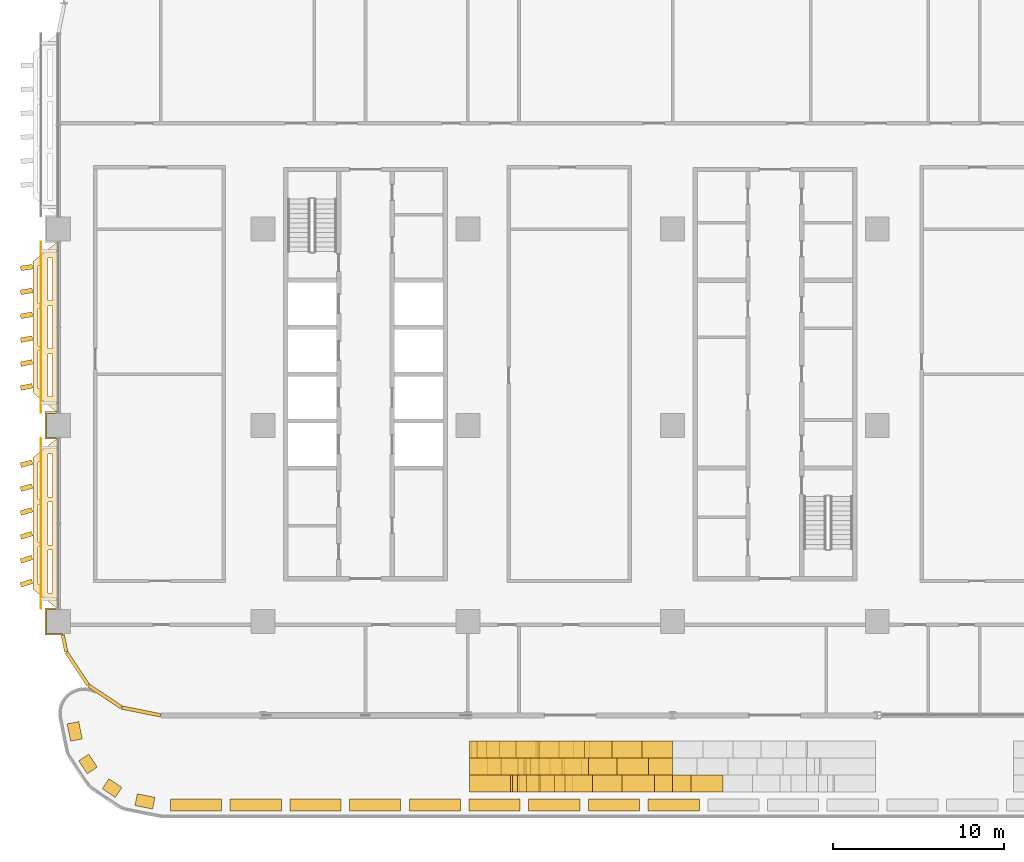
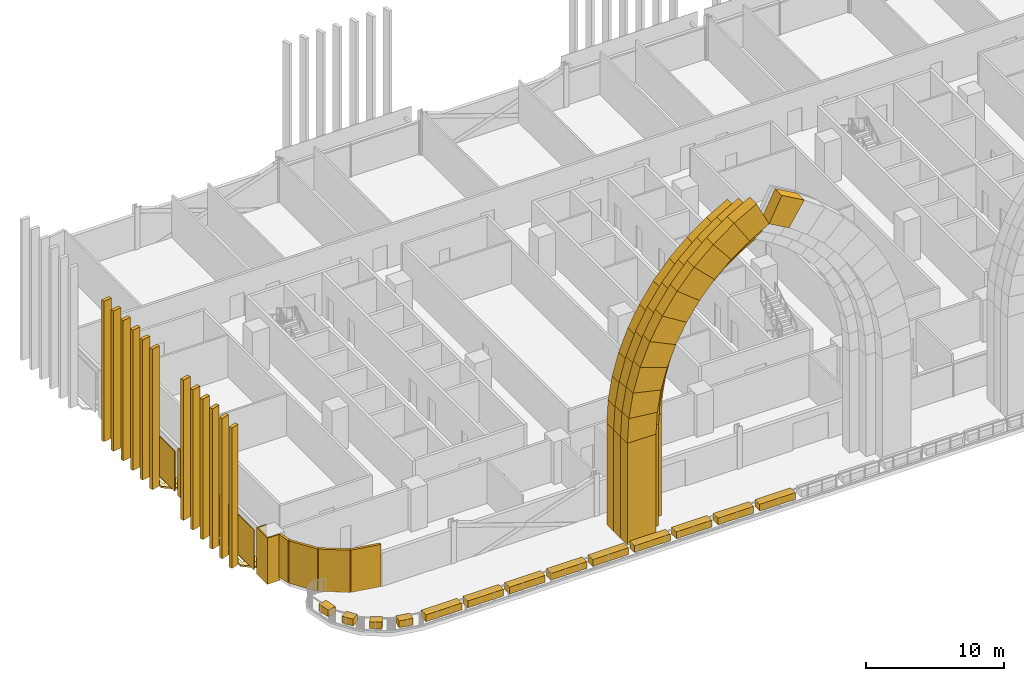
# One storey, part 22 of 31: 69 coverings.
"""IFC4 building model written with IfcOpenShell, lengths in metres."""

from ifc_helpers import new_model, si_unit, direction, frame, origin, origin_2d, place, context, subcontext, project, spatial, polyline, rectangle, outline, extrude, material, layer, layer_set, type_object, element, save


model = new_model("IFC4")

# Units and contexts
model_context = context("Model", 3, precision=1e-05, world=origin(), true_north=direction((0.0, 1.0)))
body_context = subcontext(model_context, "Body", "Model", "MODEL_VIEW")
ifc_project = project(units=[si_unit("LENGTHUNIT", "METRE"), si_unit("AREAUNIT", "SQUARE_METRE"), si_unit("VOLUMEUNIT", "CUBIC_METRE"), si_unit("PLANEANGLEUNIT", "RADIAN"), si_unit("MASSUNIT", "GRAM", prefix="KILO")], contexts=[model_context])

# Site, building, storey
site_placement = place(None, origin())
site = spatial("IfcSite", under=ifc_project, at=site_placement, CompositionType="ELEMENT")
building_placement = place(site_placement, origin())
building = spatial("IfcBuilding", under=site, at=building_placement, Name="Mahtab Terrace Research Tower", CompositionType="ELEMENT")
storey_placement = place(building_placement, frame((0.0, 0.0, 84.800048828125)))
storey = spatial("IfcBuildingStorey", under=building, at=storey_placement, Name="L19", CompositionType="ELEMENT", Elevation=84.800048828125)

# Coverings
ifc_material_1 = material(Name="Black aluminium cladding panel", Category="aluminium")
ifc_layer_1 = layer(ifc_material_1, 0.199951171875)
ifc_layer_set_1 = layer_set([ifc_layer_1], Name="Black metal corner cladding 200")
covering_type_1 = type_object("IfcCoveringType", Name="Black metal corner cladding 200", PredefinedType="CLADDING", material=ifc_layer_set_1)
covering_1_placement = place(storey_placement, frame((-41.645263671875, -12.782470703125, 0.0), z_axis=(0.0, 0.0, 1.0), x_axis=(0.195212442692, -0.980760981187, 0.0)))
element("IfcCovering", 1, at=covering_1_placement, inside=storey, type_object=covering_type_1, Name="Corner cladding L19 19", PredefinedType="CLADDING", context=body_context, shape_type="SweptSolid", body=[
    extrude(rectangle(XDim=1.007568359375, YDim=0.199951171875, at=origin_2d()), origin(), (0.0, 0.0, 1.0), 3.760009765625),
])
for number, where, z_axis, x_axis, name in (
    (2, (-40.89306640625, -14.26953125, 0.0), (0.0, 0.0, 1.0), (0.555291490808, -0.831655794326, 0.0), "Corner cladding L19 20"),
    (3, (-39.26953125, -15.89306640625, 0.0), (0.0, 0.0, 1.0), (0.831655794326, -0.555291490808, 0.0), "Corner cladding L19 21"),
    (4, (-37.14794921875, -16.771484375, 0.0), (0.0, 0.0, 1.0), (0.980760981187, -0.195212442692, 0.0), "Corner cladding L19 22"),
):
    element("IfcCovering", number, at=place(storey_placement, frame(where, z_axis=z_axis, x_axis=x_axis)), inside=storey, type_object=covering_type_1, Name=name, PredefinedType="CLADDING", context=body_context, shape_type="SweptSolid", body=[
        extrude(rectangle(XDim=2.30126953125, YDim=0.199951171875, at=origin_2d()), origin(), (0.0, 0.0, 1.0), 3.760009765625),
    ])
ifc_material_2 = material(Name="Dark anodised aluminium cladding", Category="aluminium")
ifc_layer_2 = layer(ifc_material_2, 0.10009765625)
ifc_layer_set_2 = layer_set([ifc_layer_2], Name="Column casing 100")
covering_type_2 = type_object("IfcCoveringType", Name="Column casing 100", PredefinedType="CLADDING", material=ifc_layer_set_2)
covering_2_placement = place(storey_placement, frame((0.0, 0.0, -0.340087890625)))
element("IfcCovering", 5, at=covering_2_placement, inside=storey, type_object=covering_type_2, Name="Column casing RC-1A L19", PredefinedType="CLADDING", context=body_context, shape_type="SweptSolid", body=[
    extrude(outline(polyline([(-42.800048828125, -10.699951171875), (-42.0, -10.699951171875), (-42.0, -10.800048828125), (-42.699951171875, -10.800048828125), (-42.699951171875, -12.199951171875), (-41.760986328125, -12.199951171875), (-41.740966796875, -12.300048828125), (-42.800048828125, -12.300048828125), (-42.800048828125, -10.699951171875)])), origin(), (0.0, 0.0, 1.0), 4.10009765625),
])
covering_3_placement = place(storey_placement, frame((0.0, 0.0, -0.340087890625)))
element("IfcCovering", 6, at=covering_3_placement, inside=storey, type_object=covering_type_2, Name="Column casing RC-1B L19", PredefinedType="CLADDING", context=body_context, shape_type="SweptSolid", body=[
    extrude(outline(polyline([(-42.800048828125, 0.800048828125), (-42.0, 0.800048828125), (-42.0, 0.699951171875), (-42.699951171875, 0.699951171875), (-42.699951171875, -0.699951171875), (-42.0, -0.699951171875), (-42.0, -0.800048828125), (-42.800048828125, -0.800048828125), (-42.800048828125, 0.800048828125)])), origin(), (0.0, 0.0, 1.0), 4.10009765625),
])
ifc_material_3 = material(Name="Black anodised aluminium", Category="aluminium")
ifc_layer_3 = layer(ifc_material_3, 0.14990234375)
ifc_layer_set_3 = layer_set([ifc_layer_3], Name="Horizontal sunshade band")
covering_type_3 = type_object("IfcCoveringType", Name="Horizontal sunshade band", PredefinedType="CLADDING", material=ifc_layer_set_3)
covering_4_placement = place(storey_placement, frame((0.0, 0.0, -0.150146484375)))
element("IfcCovering", 7, at=covering_4_placement, inside=storey, type_object=covering_type_3, Name="Sunshade band L19 17", PredefinedType="CLADDING", context=body_context, shape_type="SweptSolid", body=[
    extrude(outline(polyline([(-42.0, 10.800048828125), (-42.0, 0.699951171875), (-43.5, 1.89990234375), (-43.5, 9.60009765625), (-42.0, 10.800048828125)]), holes=[polyline([(-42.35009765625, 9.820068359375), (-42.35009765625, 7.306884765625), (-42.60009765625, 7.306884765625), (-42.60009765625, 9.820068359375), (-42.35009765625, 9.820068359375)]), polyline([(-42.35009765625, 7.007080078125), (-42.35009765625, 4.492919921875), (-42.60009765625, 4.492919921875), (-42.60009765625, 7.007080078125), (-42.35009765625, 7.007080078125)]), polyline([(-42.35009765625, 4.193115234375), (-42.35009765625, 1.679931640625), (-42.60009765625, 1.679931640625), (-42.60009765625, 4.193115234375), (-42.35009765625, 4.193115234375)]), polyline([(-42.949951171875, 9.340087890625), (-42.949951171875, 7.14697265625), (-43.199951171875, 7.14697265625), (-43.199951171875, 9.340087890625), (-42.949951171875, 9.340087890625)]), polyline([(-42.949951171875, 6.846923828125), (-42.949951171875, 4.653076171875), (-43.199951171875, 4.653076171875), (-43.199951171875, 6.846923828125), (-42.949951171875, 6.846923828125)]), polyline([(-42.949951171875, 4.35302734375), (-42.949951171875, 2.159912109375), (-43.199951171875, 2.159912109375), (-43.199951171875, 4.35302734375), (-42.949951171875, 4.35302734375)])]), origin(), (0.0, 0.0, 1.0), 0.150146484375),
])
covering_5_placement = place(storey_placement, frame((0.0, 0.0, -0.150146484375)))
element("IfcCovering", 8, at=covering_5_placement, inside=storey, type_object=covering_type_3, Name="Sunshade band L19 18", PredefinedType="CLADDING", context=body_context, shape_type="SweptSolid", body=[
    extrude(outline(polyline([(-42.0, -0.699951171875), (-42.0, -10.800048828125), (-43.5, -9.60009765625), (-43.5, -1.89990234375), (-42.0, -0.699951171875)]), holes=[polyline([(-42.35009765625, -1.679931640625), (-42.35009765625, -4.193115234375), (-42.60009765625, -4.193115234375), (-42.60009765625, -1.679931640625), (-42.35009765625, -1.679931640625)]), polyline([(-42.35009765625, -4.492919921875), (-42.35009765625, -7.007080078125), (-42.60009765625, -7.007080078125), (-42.60009765625, -4.492919921875), (-42.35009765625, -4.492919921875)]), polyline([(-42.35009765625, -7.306884765625), (-42.35009765625, -9.820068359375), (-42.60009765625, -9.820068359375), (-42.60009765625, -7.306884765625), (-42.35009765625, -7.306884765625)]), polyline([(-42.949951171875, -2.159912109375), (-42.949951171875, -4.35302734375), (-43.199951171875, -4.35302734375), (-43.199951171875, -2.159912109375), (-42.949951171875, -2.159912109375)]), polyline([(-42.949951171875, -4.653076171875), (-42.949951171875, -6.846923828125), (-43.199951171875, -6.846923828125), (-43.199951171875, -4.653076171875), (-42.949951171875, -4.653076171875)]), polyline([(-42.949951171875, -7.14697265625), (-42.949951171875, -9.340087890625), (-43.199951171875, -9.340087890625), (-43.199951171875, -7.14697265625), (-42.949951171875, -7.14697265625)])]), origin(), (0.0, 0.0, 1.0), 0.150146484375),
])
ifc_material_4 = material(Name="Glazed ceramic tile cladding", Category="masonry")
ifc_layer_4 = layer(ifc_material_4, 1.0)
ifc_layer_set_4 = layer_set([ifc_layer_4], Name="Iwan portal cladding arch course 800")
covering_type_4 = type_object("IfcCoveringType", Name="Iwan portal cladding arch course 800", PredefinedType="CLADDING", material=ifc_layer_set_4)
covering_6_placement = place(storey_placement, frame((-17.89990234375, -18.5, 9.030029296875), z_axis=(0.0, 1.0, 0.0), x_axis=(0.055296161854, 0.0, 0.998469996787)))
element("IfcCovering", 9, at=covering_6_placement, inside=storey, type_object=covering_type_4, Name="Iwan portal arch course 2.1.1W1", PredefinedType="CLADDING", context=body_context, shape_type="SweptSolid", body=[
    extrude(outline(polyline([(0.0, 0.0), (2.0221368446189487, 1.3877787807814457e-17), (1.7995612215177519, 3.9944933841408163), (0.2211846474140491, 3.9938799871488784), (0.0, 0.0)])), origin(), (0.0, 0.0, -1.0), 1.0),
])
covering_7_placement = place(storey_placement, frame((-17.7880859375, -18.5, 11.049072265625), z_axis=(0.0, 1.0, 0.0), x_axis=(0.165789075114, 0.0, 0.986161235586)))
element("IfcCovering", 10, at=covering_7_placement, inside=storey, type_object=covering_type_4, Name="Iwan portal arch course 2.1.1W2", PredefinedType="CLADDING", context=body_context, shape_type="SweptSolid", body=[
    extrude(outline(polyline([(0.0, 0.0), (2.0218767605380337, 0.0), (1.7998516382843501, 3.993935947076425), (0.22220660027469769, 3.9945139292206755), (0.0, 0.0)])), origin(), (0.0, 0.0, -1.0), 1.0),
])
covering_8_placement = place(storey_placement, frame((-17.452880859375, -18.5, 13.04296875), z_axis=(0.0, 1.0, 0.0), x_axis=(0.274035155459, 0.0, 0.961719675151)))
element("IfcCovering", 11, at=covering_8_placement, inside=storey, type_object=covering_type_4, Name="Iwan portal arch course 2.1.1W3", PredefinedType="CLADDING", context=body_context, shape_type="SweptSolid", body=[
    extrude(outline(polyline([(0.0, 0.0), (2.021474497305653, 0.0), (1.7995722593002155, 3.994734612307796), (0.22187098313502174, 3.993944512772269), (0.0, 0.0)])), origin(), (0.0, 0.0, -1.0), 1.0),
])
covering_9_placement = place(storey_placement, frame((-16.89892578125, -18.5, 14.987060546875), z_axis=(0.0, 1.0, 0.0), x_axis=(0.378853853758, 0.0, 0.925456513021)))
element("IfcCovering", 12, at=covering_9_placement, inside=storey, type_object=covering_type_4, Name="Iwan portal arch course 2.1.1W4", PredefinedType="CLADDING", context=body_context, shape_type="SweptSolid", body=[
    extrude(outline(polyline([(0.0, 0.0), (2.021542431278717, 0.0), (1.800034932308898, 3.9936825388277364), (0.2218539151323644, 3.994737296286476), (0.0, 0.0)])), origin(), (0.0, 0.0, -1.0), 1.0),
])
covering_10_placement = place(storey_placement, frame((-16.133056640625, -18.5, 16.85791015625), z_axis=(0.0, 1.0, 0.0), x_axis=(0.479131219658, 0.0, 0.877743284992)))
element("IfcCovering", 13, at=covering_10_placement, inside=storey, type_object=covering_type_4, Name="Iwan portal arch course 2.1.1W5", PredefinedType="CLADDING", context=body_context, shape_type="SweptSolid", body=[
    extrude(outline(polyline([(0.0, 0.0), (2.02239825097692, 0.0), (1.8006284036605267, 3.993681112962512), (0.2226725826053444, 3.993617747605958), (0.0, 0.0)])), origin(), (0.0, 0.0, -1.0), 1.0),
])
covering_11_placement = place(storey_placement, frame((-15.1640625, -18.5, 18.633056640625), z_axis=(0.0, 1.0, 0.0), x_axis=(0.573454238425, 0.0, 0.819237594616)))
element("IfcCovering", 14, at=covering_11_placement, inside=storey, type_object=covering_type_4, Name="Iwan portal arch course 2.1.1W6", PredefinedType="CLADDING", context=body_context, shape_type="SweptSolid", body=[
    extrude(outline(polyline([(0.0, 0.0), (2.021398761797615, 0.0), (1.7994905982406584, 3.993993426401814), (0.22218914357475317, 3.993657807285163), (0.0, 0.0)])), origin(), (0.0, 0.0, -1.0), 1.0),
])
covering_12_placement = place(storey_placement, frame((-14.0048828125, -18.5, 20.2890625), z_axis=(0.0, 1.0, 0.0), x_axis=(0.660698660319, 0.0, 0.750651237428)))
element("IfcCovering", 15, at=covering_12_placement, inside=storey, type_object=covering_type_4, Name="Iwan portal arch course 2.1.1W7", PredefinedType="CLADDING", context=body_context, shape_type="SweptSolid", body=[
    extrude(outline(polyline([(0.0, 0.0), (2.0220072784075875, 0.0), (1.8008280018064058, 3.9941100254011745), (0.22201294271944594, 3.993987603443353), (0.0, 0.0)])), origin(), (0.0, 0.0, -1.0), 1.0),
])
covering_13_placement = place(storey_placement, frame((-12.6689453125, -18.5, 21.806884765625), z_axis=(0.0, 1.0, 0.0), x_axis=(0.73963957003, 0.0, 0.673003199432)))
element("IfcCovering", 16, at=covering_13_placement, inside=storey, type_object=covering_type_4, Name="Iwan portal arch course 2.1.1W8", PredefinedType="CLADDING", context=body_context, shape_type="SweptSolid", body=[
    extrude(outline(polyline([(0.0, 0.0), (2.022403438087828, -2.220446049250313e-16), (1.7996525295640744, 3.9939613182354687), (0.22176164522007658, 3.9940777333593895), (0.0, 0.0)])), origin(), (0.0, 0.0, -1.0), 1.0),
])
covering_14_placement = place(storey_placement, frame((-11.173095703125, -18.5, 23.16796875), z_axis=(0.0, 1.0, 0.0), x_axis=(0.809831329912, 0.0, 0.586662779707)))
element("IfcCovering", 17, at=covering_14_placement, inside=storey, type_object=covering_type_4, Name="Iwan portal arch course 2.1.1W9", PredefinedType="CLADDING", context=body_context, shape_type="SweptSolid", body=[
    extrude(outline(polyline([(0.0, 0.0), (2.021664229053727, -1.1102230246251565e-16), (1.8004505170011869, 3.9937153592275667), (0.22235747398698358, 3.993983241398427), (0.0, 0.0)])), origin(), (0.0, 0.0, -1.0), 1.0),
])
covering_15_placement = place(storey_placement, frame((-9.535888671875, -18.5, 24.35400390625), z_axis=(0.0, 1.0, 0.0), x_axis=(0.869607431384, 0.0, 0.49374377493)))
element("IfcCovering", 18, at=covering_15_placement, inside=storey, type_object=covering_type_4, Name="Iwan portal arch course 2.1.1W10", PredefinedType="CLADDING", context=body_context, shape_type="SweptSolid", body=[
    extrude(outline(polyline([(0.0, 0.0), (2.0213862445988684, 0.0), (1.7980445226247266, 3.99457348767793), (0.22071171620903285, 3.993743133359769), (0.0, 0.0)])), origin(), (0.0, 0.0, -1.0), 1.0),
])
covering_16_placement = place(storey_placement, frame((-17.89990234375, -19.5, 9.030029296875), z_axis=(0.0, 1.0, 0.0), x_axis=(0.055405417239, 0.0, 0.99846394013)))
element("IfcCovering", 19, at=covering_16_placement, inside=storey, type_object=covering_type_4, Name="Iwan portal arch course 2.1.2W1", PredefinedType="CLADDING", context=body_context, shape_type="SweptSolid", body=[
    extrude(outline(polyline([(0.0, 0.0), (2.093058813648463, 0.0), (1.9148090554898876, 3.194714916226233), (0.1772946298206946, 3.1950358552950435), (0.0, 0.0)])), origin(), (0.0, 0.0, -1.0), 1.0),
])
covering_17_placement = place(storey_placement, frame((-17.783935546875, -19.5, 11.119873046875), z_axis=(0.0, 1.0, 0.0), x_axis=(0.165760807671, 0.0, 0.986165987367)))
element("IfcCovering", 20, at=covering_17_placement, inside=storey, type_object=covering_type_4, Name="Iwan portal arch course 2.1.2W2", PredefinedType="CLADDING", context=body_context, shape_type="SweptSolid", body=[
    extrude(outline(polyline([(0.0, 0.0), (2.0929183019785715, 0.0), (1.9151900206636356, 3.1947503501588104), (0.17703837262699557, 3.194782275345154), (0.0, 0.0)])), origin(), (0.0, 0.0, -1.0), 1.0),
])
covering_18_placement = place(storey_placement, frame((-17.43701171875, -19.5, 13.183837890625), z_axis=(0.0, 1.0, 0.0), x_axis=(0.274305031529, 0.0, 0.961642734948)))
element("IfcCovering", 21, at=covering_18_placement, inside=storey, type_object=covering_type_4, Name="Iwan portal arch course 2.1.2W3", PredefinedType="CLADDING", context=body_context, shape_type="SweptSolid", body=[
    extrude(outline(polyline([(0.0, 0.0), (2.0924683961338872, -1.1102230246251565e-16), (1.9159310429276546, 3.1948984314368087), (0.17833323908028087, 3.1947166380851577), (0.0, 0.0)])), origin(), (0.0, 0.0, -1.0), 1.0),
])
covering_19_placement = place(storey_placement, frame((-16.863037109375, -19.5, 15.196044921875), z_axis=(0.0, 1.0, 0.0), x_axis=(0.378460216708, 0.0, 0.925617558373)))
element("IfcCovering", 22, at=covering_19_placement, inside=storey, type_object=covering_type_4, Name="Iwan portal arch course 2.1.2W4", PredefinedType="CLADDING", context=body_context, shape_type="SweptSolid", body=[
    extrude(outline(polyline([(0.0, 0.0), (2.0926695925625394, 1.1102230246251565e-16), (1.9137472186937292, 3.1955440909485455), (0.17610766760704377, 3.1949221451679306), (0.0, 0.0)])), origin(), (0.0, 0.0, -1.0), 1.0),
])
covering_20_placement = place(storey_placement, frame((-16.071044921875, -19.5, 17.133056640625), z_axis=(0.0, 1.0, 0.0), x_axis=(0.479211709559, 0.0, 0.877699343409)))
element("IfcCovering", 23, at=covering_20_placement, inside=storey, type_object=covering_type_4, Name="Iwan portal arch course 2.1.2W5", PredefinedType="CLADDING", context=body_context, shape_type="SweptSolid", body=[
    extrude(outline(polyline([(0.0, 0.0), (2.0928739166703525, 0.0), (1.9166007727071994, 3.1954985718954947), (0.17815076066497704, 3.195587201054214), (0.0, 0.0)])), origin(), (0.0, 0.0, -1.0), 1.0),
])
covering_21_placement = place(storey_placement, frame((-15.068115234375, -19.5, 18.969970703125), z_axis=(0.0, 1.0, 0.0), x_axis=(0.573344927392, 0.0, 0.819314099863)))
element("IfcCovering", 24, at=covering_21_placement, inside=storey, type_object=covering_type_4, Name="Iwan portal arch course 2.1.2W6", PredefinedType="CLADDING", context=body_context, shape_type="SweptSolid", body=[
    extrude(outline(polyline([(0.0, 0.0), (2.093321585594408, -1.1102230246251565e-16), (1.9151567027040761, 3.1953790041052303), (0.17822900569924838, 3.1953900803808377), (0.0, 0.0)])), origin(), (0.0, 0.0, -1.0), 1.0),
])
covering_22_placement = place(storey_placement, frame((-13.867919921875, -19.5, 20.68505859375), z_axis=(0.0, 1.0, 0.0), x_axis=(0.660764636456, 0.0, 0.750593162245)))
element("IfcCovering", 25, at=covering_22_placement, inside=storey, type_object=covering_type_4, Name="Iwan portal arch course 2.1.2W7", PredefinedType="CLADDING", context=body_context, shape_type="SweptSolid", body=[
    extrude(outline(polyline([(0.0, 0.0), (2.0927459245048983, 0.0), (1.9157005739705082, 3.194794845830906), (0.17770355912274782, 3.195404692749725), (0.0, 0.0)])), origin(), (0.0, 0.0, -1.0), 1.0),
])
covering_23_placement = place(storey_placement, frame((-12.485107421875, -19.5, 22.255859375), z_axis=(0.0, 1.0, 0.0), x_axis=(0.739739449079, 0.0, 0.672893414648)))
element("IfcCovering", 26, at=covering_23_placement, inside=storey, type_object=covering_type_4, Name="Iwan portal arch course 2.1.2W8", PredefinedType="CLADDING", context=body_context, shape_type="SweptSolid", body=[
    extrude(outline(polyline([(0.0, 0.0), (2.0927580718501253, 0.0), (1.9147032294905433, 3.1948307866357917), (0.17744685027051332, 3.1947725706883494), (0.0, 0.0)])), origin(), (0.0, 0.0, -1.0), 1.0),
])
covering_24_placement = place(storey_placement, frame((-10.93701171875, -19.5, 23.6640625), z_axis=(0.0, 1.0, 0.0), x_axis=(0.809708860444, 0.0, 0.586831799852)))
element("IfcCovering", 27, at=covering_24_placement, inside=storey, type_object=covering_type_4, Name="Iwan portal arch course 2.1.2W9", PredefinedType="CLADDING", context=body_context, shape_type="SweptSolid", body=[
    extrude(outline(polyline([(0.0, 0.0), (2.0922233652540667, 1.1102230246251565e-16), (1.9154691069583838, 3.195213830070808), (0.17685234475976186, 3.194897577431324), (0.0, 0.0)])), origin(), (0.0, 0.0, -1.0), 1.0),
])
covering_25_placement = place(storey_placement, frame((-9.242919921875, -19.5, 24.891845703125), z_axis=(0.0, 1.0, 0.0), x_axis=(0.86973191409, 0.0, 0.493524465061)))
element("IfcCovering", 28, at=covering_25_placement, inside=storey, type_object=covering_type_4, Name="Iwan portal arch course 2.1.2W10", PredefinedType="CLADDING", context=body_context, shape_type="SweptSolid", body=[
    extrude(outline(polyline([(0.0, 0.0), (2.093519568217688, 1.1102230246251565e-16), (1.9153547932889763, 3.195535060559161), (0.1782840685170788, 3.195128835996197), (0.0, 0.0)])), origin(), (0.0, 0.0, -1.0), 1.0),
])
covering_26_placement = place(storey_placement, frame((-17.89990234375, -20.5, 9.030029296875), z_axis=(0.0, 1.0, 0.0), x_axis=(0.055388797577, 0.0, 0.998464862227)))
element("IfcCovering", 29, at=covering_26_placement, inside=storey, type_object=covering_type_4, Name="Iwan portal arch course 2.1.3W1", PredefinedType="CLADDING", context=body_context, shape_type="SweptSolid", body=[
    extrude(outline(polyline([(0.0, 0.0), (2.164211033980928, 1.3877787807814457e-17), (2.0308528622435276, 2.3960746190580444), (0.13292770512244848, 2.3962181630117954), (0.0, 0.0)])), origin(), (0.0, 0.0, -1.0), 1.0),
])
covering_27_placement = place(storey_placement, frame((-17.780029296875, -20.5, 11.19091796875), z_axis=(0.0, 1.0, 0.0), x_axis=(0.166027711966, 0.0, 0.986121087321)))
element("IfcCovering", 30, at=covering_27_placement, inside=storey, type_object=covering_type_4, Name="Iwan portal arch course 2.1.3W2", PredefinedType="CLADDING", context=body_context, shape_type="SweptSolid", body=[
    extrude(outline(polyline([(0.0, 0.0), (2.163077808649018, 0.0), (2.03097180045984, 2.396007550346007), (0.13379854836568034, 2.39605006844985), (0.0, 0.0)])), origin(), (0.0, 0.0, -1.0), 1.0),
])
covering_28_placement = place(storey_placement, frame((-17.4208984375, -20.5, 13.323974609375), z_axis=(0.0, 1.0, 0.0), x_axis=(0.274050500896, 0.0, 0.961715302446)))
element("IfcCovering", 31, at=covering_28_placement, inside=storey, type_object=covering_type_4, Name="Iwan portal arch course 2.1.3W3", PredefinedType="CLADDING", context=body_context, shape_type="SweptSolid", body=[
    extrude(outline(polyline([(0.0, 0.0), (2.163898902520856, 1.1102230246251565e-16), (2.031239125023461, 2.3959042122310414), (0.13364404379989003, 2.395922254221027), (0.0, 0.0)])), origin(), (0.0, 0.0, -1.0), 1.0),
])
covering_29_placement = place(storey_placement, frame((-16.827880859375, -20.5, 15.405029296875), z_axis=(0.0, 1.0, 0.0), x_axis=(0.378808539518, 0.0, 0.925475062002)))
element("IfcCovering", 32, at=covering_29_placement, inside=storey, type_object=covering_type_4, Name="Iwan portal arch course 2.1.3W4", PredefinedType="CLADDING", context=body_context, shape_type="SweptSolid", body=[
    extrude(outline(polyline([(0.0, 0.0), (2.164217891691568, -1.1102230246251565e-16), (2.0309228257550145, 2.3960510529094714), (0.13333169541728007, 2.3958669140311737), (0.0, 0.0)])), origin(), (0.0, 0.0, -1.0), 1.0),
])
covering_30_placement = place(storey_placement, frame((-16.008056640625, -20.5, 17.407958984375), z_axis=(0.0, 1.0, 0.0), x_axis=(0.478978644137, 0.0, 0.877826553746)))
element("IfcCovering", 33, at=covering_30_placement, inside=storey, type_object=covering_type_4, Name="Iwan portal arch course 2.1.3W5", PredefinedType="CLADDING", context=body_context, shape_type="SweptSolid", body=[
    extrude(outline(polyline([(0.0, 0.0), (2.1632129640502535, 0.0), (2.029991815478837, 2.3966569917897935), (0.13289865939719103, 2.3960730725672885), (0.0, 0.0)])), origin(), (0.0, 0.0, -1.0), 1.0),
])
covering_31_placement = place(storey_placement, frame((-14.971923828125, -20.5, 19.306884765625), z_axis=(0.0, 1.0, 0.0), x_axis=(0.573432058413, 0.0, 0.81925311985)))
element("IfcCovering", 34, at=covering_31_placement, inside=storey, type_object=covering_type_4, Name="Iwan portal arch course 2.1.3W6", PredefinedType="CLADDING", context=body_context, shape_type="SweptSolid", body=[
    extrude(outline(polyline([(0.0, 0.0), (2.1641043235510695, 0.0), (2.0312705661066603, 2.3962484585260464), (0.13355660794893764, 2.3966383213148292), (0.0, 0.0)])), origin(), (0.0, 0.0, -1.0), 1.0),
])
covering_32_placement = place(storey_placement, frame((-13.73095703125, -20.5, 21.079833984375), z_axis=(0.0, 1.0, 0.0), x_axis=(0.66035571194, 0.0, 0.750952950396)))
element("IfcCovering", 35, at=covering_32_placement, inside=storey, type_object=covering_type_4, Name="Iwan portal arch course 2.1.3W7", PredefinedType="CLADDING", context=body_context, shape_type="SweptSolid", body=[
    extrude(outline(polyline([(0.0, 0.0), (2.1639171923387517, -2.220446049250313e-16), (2.029994863772, 2.396120653998072), (0.1324709660335739, 2.396268541975917), (0.0, 0.0)])), origin(), (0.0, 0.0, -1.0), 1.0),
])
covering_33_placement = place(storey_placement, frame((-12.302001953125, -20.5, 22.704833984375), z_axis=(0.0, 1.0, 0.0), x_axis=(0.739817550942, 0.0, 0.672807544041)))
element("IfcCovering", 36, at=covering_33_placement, inside=storey, type_object=covering_type_4, Name="Iwan portal arch course 2.1.3W8", PredefinedType="CLADDING", context=body_context, shape_type="SweptSolid", body=[
    extrude(outline(polyline([(0.0, 0.0), (2.164147385677936, 0.0), (2.030703602674431, 2.3968816679285494), (0.13353979392820547, 2.396142003730685), (0.0, 0.0)])), origin(), (0.0, 0.0, -1.0), 1.0),
])
covering_34_placement = place(storey_placement, frame((-10.700927734375, -20.5, 24.160888671875), z_axis=(0.0, 1.0, 0.0), x_axis=(0.809857074635, 0.0, 0.58662723996)))
element("IfcCovering", 37, at=covering_34_placement, inside=storey, type_object=covering_type_4, Name="Iwan portal arch course 2.1.3W9", PredefinedType="CLADDING", context=body_context, shape_type="SweptSolid", body=[
    extrude(outline(polyline([(0.0, 0.0), (2.163286806859201, 0.0), (2.0314969456833176, 2.3964165338776358), (0.13314727824152373, 2.3968981571128767), (0.0, 0.0)])), origin(), (0.0, 0.0, -1.0), 1.0),
])
covering_35_placement = place(storey_placement, frame((-8.948974609375, -20.5, 25.429931640625), z_axis=(0.0, 1.0, 0.0), x_axis=(0.869704239566, 0.0, 0.493573232339)))
element("IfcCovering", 38, at=covering_35_placement, inside=storey, type_object=covering_type_4, Name="Iwan portal arch course 2.1.3W10", PredefinedType="CLADDING", context=body_context, shape_type="SweptSolid", body=[
    extrude(outline(polyline([(0.0, 0.0), (2.1640461118883225, 0.0), (2.0306740585909924, 2.3965820955019637), (0.1337450977090937, 2.396308206427054), (0.0, 0.0)])), origin(), (0.0, 0.0, -1.0), 1.0),
])
covering_36_placement = place(storey_placement, frame((-4.35009765625, -20.5, 23.411865234375), z_axis=(0.0, 1.0, 0.0), x_axis=(-0.869775495327, 0.0, 0.493447654496)))
element("IfcCovering", 39, at=covering_36_placement, inside=storey, type_object=covering_type_4, Name="Iwan portal arch course 2.1.3E10", PredefinedType="CLADDING", context=body_context, shape_type="SweptSolid", body=[
    extrude(outline(polyline([(0.0, 0.0), (1.8969289806547072, 0.0), (2.0299550008127287, 2.3966013275140794), (-0.13409108851846685, 2.396288870593609), (0.0, 0.0)])), origin(), (0.0, 0.0, -1.0), 1.0),
])
ifc_layer_5 = layer(ifc_material_4, 1.0)
ifc_layer_set_5 = layer_set([ifc_layer_5], Name="Iwan portal cladding pilaster 900")
covering_type_5 = type_object("IfcCoveringType", Name="Iwan portal cladding pilaster 900", PredefinedType="CLADDING", material=ifc_layer_set_5)
covering_37_placement = place(storey_placement, frame((-15.89990234375, -19.0, 0.030029296875), z_axis=(0.0, 0.0, 1.0), x_axis=(1.0, 0.0, 0.0)))
element("IfcCovering", 40, at=covering_37_placement, inside=storey, type_object=covering_type_5, Name="Iwan portal pilaster 2.1.1W", PredefinedType="CLADDING", context=body_context, shape_type="SweptSolid", body=[
    extrude(rectangle(XDim=4.0, YDim=1.0, at=origin_2d()), origin(), (0.0, 0.0, 1.0), 9.0),
])
covering_38_placement = place(storey_placement, frame((-16.300048828125, -20.0, 0.030029296875), z_axis=(0.0, 0.0, 1.0), x_axis=(1.0, 0.0, 0.0)))
element("IfcCovering", 41, at=covering_38_placement, inside=storey, type_object=covering_type_5, Name="Iwan portal pilaster 2.1.2W", PredefinedType="CLADDING", context=body_context, shape_type="SweptSolid", body=[
    extrude(rectangle(XDim=3.199951171875, YDim=1.0, at=origin_2d()), origin(), (0.0, 0.0, 1.0), 9.0),
])
covering_39_placement = place(storey_placement, frame((-16.699951171875, -21.0, 0.030029296875), z_axis=(0.0, 0.0, 1.0), x_axis=(1.0, 0.0, 0.0)))
element("IfcCovering", 42, at=covering_39_placement, inside=storey, type_object=covering_type_5, Name="Iwan portal pilaster 2.1.3W", PredefinedType="CLADDING", context=body_context, shape_type="SweptSolid", body=[
    extrude(rectangle(XDim=2.39990234375, YDim=1.0, at=origin_2d()), origin(), (0.0, 0.0, 1.0), 9.0),
])
ifc_material_5 = material(Name="Planting soil and shrubs")
ifc_layer_6 = layer(ifc_material_5, 0.1201171875)
ifc_layer_set_6 = layer_set([ifc_layer_6], Name="Planter")
covering_type_6 = type_object("IfcCoveringType", Name="Planter", PredefinedType="USERDEFINED", material=ifc_layer_set_6)
covering_40_placement = place(storey_placement, frame((-41.0478515625, -17.941162109375, 0.02978515625), z_axis=(0.0, 0.0, 1.0), x_axis=(0.195395445655, -0.980724538195, 0.0)))
element("IfcCovering", 43, at=covering_40_placement, inside=storey, type_object=covering_type_6, Name="PLANTER terrace 2", ObjectType="PLANTER", PredefinedType="USERDEFINED", context=body_context, shape_type="SweptSolid", body=[
    extrude(rectangle(XDim=1.0341796875, YDim=0.699951171875, at=origin_2d()), origin(), (0.0, 0.0, 1.0), 0.60009765625),
])
for number, where, z_axis, x_axis, name in (
    (44, (-40.268798828125, -19.853759765625, 0.02978515625), (0.0, 0.0, 1.0), (0.555757494231, -0.831344457855, 0.0), "PLANTER terrace 2"),
    (45, (-38.853759765625, -21.268798828125, 0.02978515625), (0.0, 0.0, 1.0), (0.831344457855, -0.555757494231, 0.0), "PLANTER terrace 2"),
):
    element("IfcCovering", number, at=place(storey_placement, frame(where, z_axis=z_axis, x_axis=x_axis)), inside=storey, type_object=covering_type_6, Name=name, ObjectType="PLANTER", PredefinedType="USERDEFINED", context=body_context, shape_type="SweptSolid", body=[
        extrude(rectangle(XDim=0.908447265625, YDim=0.699951171875, at=origin_2d()), origin(), (0.0, 0.0, 1.0), 0.60009765625),
    ])
covering_41_placement = place(storey_placement, frame((-36.92822265625, -22.05029296875, 0.02978515625), z_axis=(0.0, 0.0, 1.0), x_axis=(0.980742754391, -0.195303993071, 0.0)))
element("IfcCovering", 46, at=covering_41_placement, inside=storey, type_object=covering_type_6, Name="PLANTER terrace 2", ObjectType="PLANTER", PredefinedType="USERDEFINED", context=body_context, shape_type="SweptSolid", body=[
    extrude(rectangle(XDim=1.060546875, YDim=0.699951171875, at=origin_2d()), origin(), (0.0, 0.0, 1.0), 0.60009765625),
])
for number, where, z_axis, x_axis, name in (
    (47, (-33.93408203125, -22.25, 0.02978515625), (0.0, 0.0, 1.0), (1.0, 0.0, 0.0), "PLANTER terrace 2"),
    (48, (-30.43408203125, -22.25, 0.02978515625), (0.0, 0.0, 1.0), (1.0, 0.0, 0.0), "PLANTER terrace 2"),
    (49, (-26.93408203125, -22.25, 0.02978515625), (0.0, 0.0, 1.0), (1.0, 0.0, 0.0), "PLANTER terrace 2"),
    (50, (-23.43408203125, -22.25, 0.02978515625), (0.0, 0.0, 1.0), (1.0, 0.0, 0.0), "PLANTER terrace 2"),
    (51, (-19.93408203125, -22.25, 0.02978515625), (0.0, 0.0, 1.0), (1.0, 0.0, 0.0), "PLANTER terrace 2"),
    (52, (-16.43408203125, -22.25, 0.02978515625), (0.0, 0.0, 1.0), (1.0, 0.0, 0.0), "PLANTER terrace 2"),
    (53, (-12.93408203125, -22.25, 0.02978515625), (0.0, 0.0, 1.0), (1.0, 0.0, 0.0), "PLANTER terrace 2"),
    (54, (-9.43408203125, -22.25, 0.02978515625), (0.0, 0.0, 1.0), (1.0, 0.0, 0.0), "PLANTER terrace 2"),
    (55, (-5.93408203125, -22.25, 0.02978515625), (0.0, 0.0, 1.0), (1.0, 0.0, 0.0), "PLANTER terrace 2"),
):
    element("IfcCovering", number, at=place(storey_placement, frame(where, z_axis=z_axis, x_axis=x_axis)), inside=storey, type_object=covering_type_6, Name=name, ObjectType="PLANTER", PredefinedType="USERDEFINED", context=body_context, shape_type="SweptSolid", body=[
        extrude(rectangle(XDim=3.0, YDim=0.699951171875, at=origin_2d()), origin(), (0.0, 0.0, 1.0), 0.60009765625),
    ])
ifc_material_6 = material(Name="Bronze anodised aluminium", Category="aluminium")
ifc_layer_7 = layer(ifc_material_6, 0.050048828125)
ifc_layer_set_7 = layer_set([ifc_layer_7], Name="Sky lounge girih screen panel")
covering_type_7 = type_object("IfcCoveringType", Name="Sky lounge girih screen panel", PredefinedType="CLADDING", material=ifc_layer_set_7)
for number, where, z_axis, x_axis, name in (
    (56, (-43.02490234375, 5.75, 0.099853515625), (0.0, 0.0, 1.0), (0.0, -1.0, 0.0), "Girih screen L19 W18"),
    (57, (-43.02490234375, -5.75, 0.099853515625), (0.0, 0.0, 1.0), (0.0, -1.0, 0.0), "Girih screen L19 W19"),
):
    element("IfcCovering", number, at=place(storey_placement, frame(where, z_axis=z_axis, x_axis=x_axis)), inside=storey, type_object=covering_type_7, Name=name, PredefinedType="CLADDING", context=body_context, shape_type="SweptSolid", body=[
        extrude(rectangle(XDim=10.0, YDim=0.050048828125, at=origin_2d()), origin(), (0.0, 0.0, 1.0), 3.56005859375),
    ])
ifc_layer_8 = layer(ifc_material_6, 0.1201171875)
ifc_layer_set_8 = layer_set([ifc_layer_8], Name="Vertical fin 700")
covering_type_8 = type_object("IfcCoveringType", Name="Vertical fin 700", PredefinedType="CLADDING", material=ifc_layer_set_8)
for number, where, z_axis, x_axis, name in (
    (58, (-43.8662109375, 9.25, -0.14990234375), (0.0, 0.0, 1.0), (0.140697944584, -0.990052568498, 0.0), "Fin L19 W1"),
    (59, (-43.867431640625, 7.85009765625, -0.14990234375), (0.0, 0.0, 1.0), (0.154913243657, -0.987928077817, 0.0), "Fin L19 W2"),
    (60, (-43.86865234375, 6.449951171875, -0.14990234375), (0.0, 0.0, 1.0), (0.169096539483, -0.985599492865, 0.0), "Fin L19 W3"),
    (61, (-43.86962890625, 5.050048828125, -0.14990234375), (0.0, 0.0, 1.0), (0.183244901944, -0.983067294701, 0.0), "Fin L19 W4"),
    (62, (-43.870849609375, 3.64990234375, -0.14990234375), (0.0, 0.0, 1.0), (0.19735540819, -0.980332006444, 0.0), "Fin L19 W5"),
    (63, (-43.87158203125, 2.25, -0.14990234375), (0.0, 0.0, 1.0), (0.21142514314, -0.977394193173, 0.0), "Fin L19 W6"),
    (64, (-43.874267578125, -2.25, -0.14990234375), (0.0, 0.0, 1.0), (0.256338991477, -0.966586944588, 0.0), "Fin L19 W1"),
    (65, (-43.874755859375, -3.64990234375, -0.14990234375), (0.0, 0.0, 1.0), (0.270205078679, -0.962802791571, 0.0), "Fin L19 W2"),
    (66, (-43.875244140625, -5.050048828125, -0.14990234375), (0.0, 0.0, 1.0), (0.284015344704, -0.958819734868, 0.0), "Fin L19 W3"),
    (67, (-43.875732421875, -6.449951171875, -0.14990234375), (0.0, 0.0, 1.0), (0.297766936513, -0.954638597334, 0.0), "Fin L19 W4"),
    (68, (-43.876220703125, -7.85009765625, -0.14990234375), (0.0, 0.0, 1.0), (0.311457013191, -0.950260242741, 0.0), "Fin L19 W5"),
    (69, (-43.87646484375, -9.25, -0.14990234375), (0.0, 0.0, 1.0), (0.325082746511, -0.945685575612, 0.0), "Fin L19 W6"),
):
    element("IfcCovering", number, at=place(storey_placement, frame(where, z_axis=z_axis, x_axis=x_axis)), inside=storey, type_object=covering_type_8, Name=name, PredefinedType="CLADDING", context=body_context, shape_type="SweptSolid", body=[
        extrude(rectangle(XDim=0.280029296875, YDim=0.699951171875, at=origin_2d()), origin(), (0.0, 0.0, 1.0), 12.449951171875),
    ])

save(model, "model.ifc")
